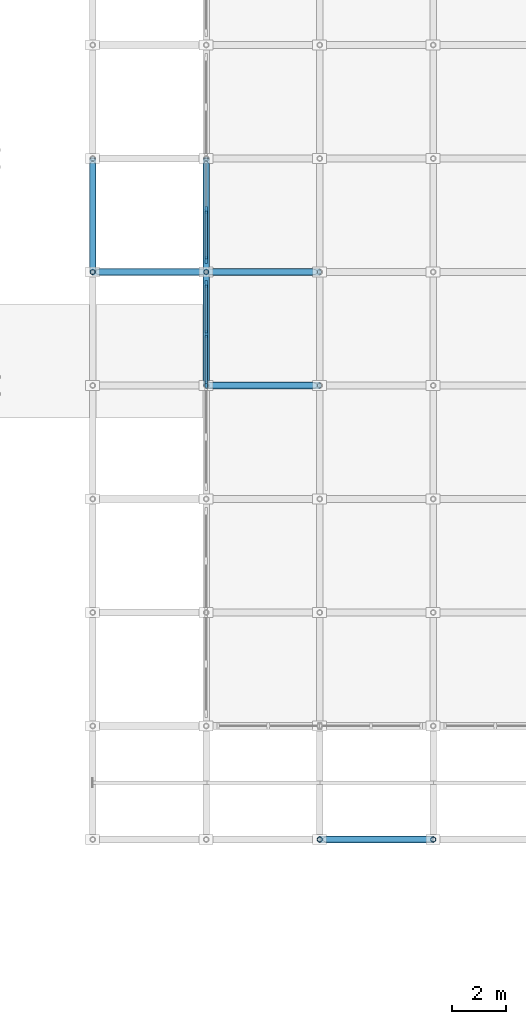
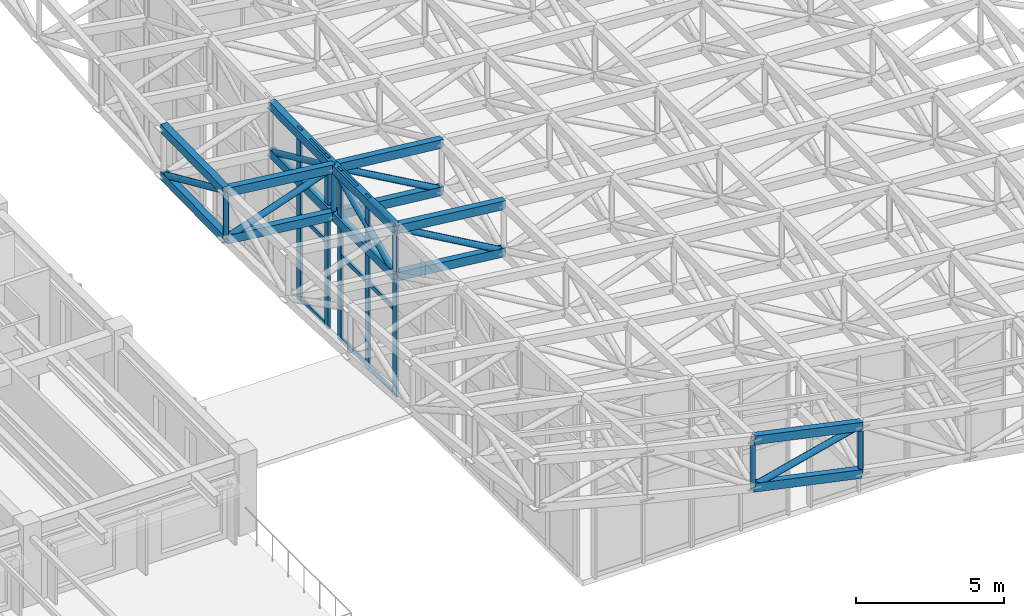
# One storey, part 22 of 111: 39 members, 2 elements without a shape of their own.
"""IFC4 building model written with IfcOpenShell, lengths in metres."""

import ifcopenshell
import ifcopenshell.guid

model = None  # the IFC model being written
_history = None  # IfcOwnerHistory: only IFC2X3 demands one
_inside = {}  # id of a spatial element -> (the spatial element, [elements in it])
_under = {}  # id of a project, library or spatial element -> (it, [spatial elements below it])
_declared = {}  # id of a project -> (the project, [libraries it declares])
_typed = {}  # id of a type object -> (the type object, [elements of that type])
_made_of = {}  # id of a material, layer set ... -> (it, [elements and type objects made of it])


def new_model(schema):
    """Start an empty IFC model of exactly this schema.

    Asked for "IFC4X3", IfcOpenShell would pick the latest addendum, in which some entities
    have other attributes; the version numbers below select the first issue.
    IFC2X3 requires an IfcOwnerHistory on every rooted entity: one is made here for all.
    """
    global model, _history
    if schema == "IFC4X3":
        model = ifcopenshell.file(schema_version=(4, 3, 0, 0))
    else:
        model = ifcopenshell.file(schema=schema)
    _inside.clear()
    _under.clear()
    _declared.clear()
    _typed.clear()
    _made_of.clear()
    _history = None
    if model.schema == "IFC2X3":
        org = make("IfcOrganization", Name="unknown")
        user = make(
            "IfcPersonAndOrganization",
            ThePerson=make("IfcPerson", FamilyName="unknown"),
            TheOrganization=org,
        )
        app = make(
            "IfcApplication",
            ApplicationDeveloper=org,
            Version="unknown",
            ApplicationFullName="unknown",
            ApplicationIdentifier="unknown",
        )
        _history = make(
            "IfcOwnerHistory",
            OwningUser=user,
            OwningApplication=app,
            ChangeAction="ADDED",
            CreationDate=0,
        )
    return model


def make(cls, **values):
    """One entity of the class cls with the attributes given. An attribute that is None is left unset."""
    return model.create_entity(
        cls, **{name: value for name, value in values.items() if value is not None}
    )


def rooted(cls, **values):
    """An entity with a GlobalId (a new one), such as an element, a storey or a relation."""
    return make(cls, GlobalId=ifcopenshell.guid.new(), OwnerHistory=_history, **values)


def si_unit(unit_type, name, prefix=None):
    """IfcSIUnit, for example si_unit("LENGTHUNIT", "METRE", prefix="MILLI")."""
    return make("IfcSIUnit", UnitType=unit_type, Prefix=prefix, Name=name)


def assignment(units):
    """IfcUnitAssignment: the units of a project."""
    return None if units is None else make("IfcUnitAssignment", Units=units)


def point(xyz):
    """IfcCartesianPoint."""
    return None if xyz is None else make("IfcCartesianPoint", Coordinates=xyz)


def direction(xyz):
    """IfcDirection."""
    return None if xyz is None else make("IfcDirection", DirectionRatios=xyz)


def frame(location, z_axis=None, x_axis=None):
    """IfcAxis2Placement3D, a coordinate frame: its origin and axes. An axis left out is left unset."""
    return make(
        "IfcAxis2Placement3D",
        Location=point(location),
        Axis=direction(z_axis),
        RefDirection=direction(x_axis),
    )


def frame_2d(location, x_axis=None):
    """IfcAxis2Placement2D, a coordinate frame in the plane: its origin and x axis."""
    return make(
        "IfcAxis2Placement2D", Location=point(location), RefDirection=direction(x_axis)
    )


def origin():
    """The frame at (0, 0, 0) with its axes left unset."""
    return frame((0.0, 0.0, 0.0))


def origin_2d():
    """The frame at (0, 0) in the plane with its x axis left unset."""
    return frame_2d((0.0, 0.0))


def place(relative_to, where):
    """IfcLocalPlacement: puts the frame where relative to a parent placement (None: the world)."""
    return make(
        "IfcLocalPlacement", PlacementRelTo=relative_to, RelativePlacement=where
    )


def context(
    kind, dimensions, precision=None, world=None, true_north=None, identifier=None
):
    """IfcGeometricRepresentationContext, for example the 3D "Model" context."""
    return make(
        "IfcGeometricRepresentationContext",
        ContextIdentifier=identifier,
        ContextType=kind,
        CoordinateSpaceDimension=dimensions,
        Precision=precision,
        WorldCoordinateSystem=world,
        TrueNorth=true_north,
    )


def subcontext(parent, identifier, kind, view, scale=None):
    """IfcGeometricRepresentationSubContext, for example "Body" below "Model"."""
    return make(
        "IfcGeometricRepresentationSubContext",
        ContextIdentifier=identifier,
        ContextType=kind,
        ParentContext=parent,
        TargetScale=scale,
        TargetView=view,
    )


def project(units=None, contexts=None):
    """IfcProject with its units and contexts."""
    return rooted(
        "IfcProject",
        Name="project",
        RepresentationContexts=contexts,
        UnitsInContext=assignment(units),
    )


def spatial(cls, under=None, at=None, **own):
    """A site, building, storey or space (cls), placed at a placement, below another one or the project."""
    s = rooted(cls, ObjectPlacement=at, **own)
    if under is not None:
        _under.setdefault(under.id(), (under, []))[1].append(s)
    return s


def profile(cls, at=None, kind="AREA", **sizes):
    """A parametric profile (cls). Its sizes go by their IFC names, for example OverallWidth=200.0."""
    return make(cls, ProfileType=kind, Position=at, **sizes)


def rectangle(**sizes):
    """IfcRectangleProfileDef."""
    return profile("IfcRectangleProfileDef", **sizes)


def hollow_rectangle(**sizes):
    """IfcRectangleHollowProfileDef."""
    return profile("IfcRectangleHollowProfileDef", **sizes)


def hollow_circle(**sizes):
    """IfcCircleHollowProfileDef."""
    return profile("IfcCircleHollowProfileDef", **sizes)


def extrude(swept, where, along, depth):
    """IfcExtrudedAreaSolid: the profile swept, set in the frame where, extruded along a direction by depth."""
    return make(
        "IfcExtrudedAreaSolid",
        SweptArea=swept,
        Position=where,
        ExtrudedDirection=direction(along),
        Depth=depth,
    )


def shape(context_of_items, identifier, shape_type, items):
    """IfcShapeRepresentation: the items that make up one representation, for example the "Body"."""
    return make(
        "IfcShapeRepresentation",
        ContextOfItems=context_of_items,
        RepresentationIdentifier=identifier,
        RepresentationType=shape_type,
        Items=items,
    )


def material(Name=None, Category=None):
    """IfcMaterial."""
    return make("IfcMaterial", Name=Name, Category=Category)


def material_profile(
    of_material, cross_section, Name=None, Category=None, Priority=None
):
    """IfcMaterialProfile: a cross section and its material."""
    return make(
        "IfcMaterialProfile",
        Name=Name,
        Material=of_material,
        Profile=cross_section,
        Priority=Priority,
        Category=Category,
    )


def profile_set(profiles, Name=None, composite=None):
    """IfcMaterialProfileSet."""
    return make(
        "IfcMaterialProfileSet",
        Name=Name,
        MaterialProfiles=profiles,
        CompositeProfile=composite,
    )


def made_of(thing, what):
    """Note that an element or type object is made of a material, layer set ...; save() writes the relation."""
    if what is not None:
        _made_of.setdefault(what.id(), (what, []))[1].append(thing)
    return thing


def type_object(cls, material=None, **own):
    """A type object (cls), such as IfcWallType, which elements share."""
    return made_of(rooted(cls, **own), material)


def element(
    cls,
    number,
    at=None,
    inside=None,
    cuts=None,
    type_object=None,
    material=None,
    context=None,
    identifier="Body",
    shape_type=None,
    held_by="IfcProductDefinitionShape",
    body=None,
    shapes=None,
    **own,
):
    """One element of the class cls, such as IfcWall. Its Tag is "e" and its number.

    at: its placement. inside: the storey or other place that contains it. cuts: it is an
    opening in that element (IfcRelVoidsElement). A single representation is given by context,
    identifier, shape_type and body (its items); several are given by shapes. held_by: the class
    of the entity that holds the representations. save() writes the other relations.
    """
    e = rooted(cls, Tag="e%d" % number, ObjectPlacement=at, **own)
    if body is not None:
        shapes = [shape(context, identifier, shape_type, body)]
    if shapes is not None:
        e.Representation = make(held_by, Representations=shapes)
    if inside is not None:
        _inside.setdefault(inside.id(), (inside, []))[1].append(e)
    if cuts is not None:
        rooted(
            "IfcRelVoidsElement", RelatingBuildingElement=cuts, RelatedOpeningElement=e
        )
    if type_object is not None:
        _typed.setdefault(type_object.id(), (type_object, []))[1].append(e)
    return made_of(e, material)


def aggregate(whole, parts):
    """IfcRelAggregates: a whole, such as a stair, and the parts it consists of."""
    return rooted("IfcRelAggregates", RelatingObject=whole, RelatedObjects=parts)


def save(model, path):
    """Write the relations noted so far, then the file.

    IfcRelAggregates (storeys below a building ...), IfcRelContainedInSpatialStructure (elements
    in a storey), IfcRelDefinesByType, IfcRelAssociatesMaterial and IfcRelDeclares: one each for
    every whole, place, type object, material and project.
    """
    for whole, parts in _under.values():
        aggregate(whole, parts)
    for where, things in _inside.values():
        rooted(
            "IfcRelContainedInSpatialStructure",
            RelatedElements=things,
            RelatingStructure=where,
        )
    for kind, things in _typed.values():
        rooted("IfcRelDefinesByType", RelatedObjects=things, RelatingType=kind)
    for what, things in _made_of.values():
        rooted("IfcRelAssociatesMaterial", RelatedObjects=things, RelatingMaterial=what)
    for by, libraries in _declared.values():
        rooted("IfcRelDeclares", RelatingContext=by, RelatedDefinitions=libraries)
    model.write(path)


model = new_model("IFC4")

# Units and contexts
model_context = context("Model", 3, precision=1e-05, world=origin(), true_north=direction((0.0, 1.0)))
body_context = subcontext(model_context, "Body", "Model", "MODEL_VIEW")
ifc_project = project(units=[si_unit("LENGTHUNIT", "METRE"), si_unit("AREAUNIT", "SQUARE_METRE"), si_unit("VOLUMEUNIT", "CUBIC_METRE"), si_unit("PLANEANGLEUNIT", "RADIAN"), si_unit("MASSUNIT", "GRAM", prefix="KILO")], contexts=[model_context])

# Site, building, storey
site_placement = place(None, origin())
site = spatial("IfcSite", under=ifc_project, at=site_placement, CompositionType="ELEMENT")
building_placement = place(site_placement, origin())
building = spatial("IfcBuilding", under=site, at=building_placement, Name="Cumbredor Promenade Congress Hotel", CompositionType="ELEMENT")
storey_placement = place(building_placement, frame((0.0, 0.0, 15.1201171875)))
storey = spatial("IfcBuildingStorey", under=building, at=storey_placement, Name="L04", CompositionType="ELEMENT", Elevation=15.1201171875)

# Curtain wall, members
ifc_material_1 = material(Name="Thermally broken anodized aluminium and low-E glass", Category="aluminium")
curtain_wall_type = type_object("IfcCurtainWallType", Name="Stepped Pavilion Clerestory Curtain Wall CW-06", PredefinedType="NOTDEFINED", material=ifc_material_1)
curtain_wall_1_placement = place(storey_placement, origin())
curtain_wall_1 = element("IfcCurtainWall", 1, at=curtain_wall_1_placement, inside=storey, type_object=curtain_wall_type, Name="Pre-Function and Breakout Meeting Forum W Glazed Clerestory 4", PredefinedType="NOTDEFINED")
ifc_material_2 = material(Name="Thermally broken anodized aluminium", Category="aluminium")
ifc_material_profile_1 = material_profile(ifc_material_2, rectangle(XDim=0.0849609375, YDim=0.260009765625, at=origin_2d()), Name="ALU MULLION CLERESTORY 85x260")
ifc_profile_set_1 = profile_set([ifc_material_profile_1], Name="Thermally broken anodized aluminium")
member_type_1 = type_object("IfcMemberType", Name="Curtain Wall Mullion ML-04", PredefinedType="MULLION", material=ifc_profile_set_1)
member_1_placement = place(storey_placement, frame((92.39990234375, 96.639892578125, -0.01806640625), z_axis=(0.0, 0.0, 1.0), x_axis=(1.0, 0.0, 0.0)))
member_1 = element("IfcMember", 2, at=member_1_placement, type_object=member_type_1, Name="Pre-Function and Breakout Meeting Forum W Glazed Clerestory 4 Mullion 1", PredefinedType="MULLION", context=body_context, shape_type="SweptSolid", body=[
    extrude(rectangle(XDim=0.0849609375, YDim=0.260009765625, at=origin_2d()), origin(), (0.0, 0.0, 1.0), 7.078125),
])
member_2_placement = place(storey_placement, frame((92.39990234375, 98.5, -0.01806640625), z_axis=(0.0, 0.0, 1.0), x_axis=(1.0, 0.0, 0.0)))
member_2 = element("IfcMember", 3, at=member_2_placement, type_object=member_type_1, Name="Pre-Function and Breakout Meeting Forum W Glazed Clerestory 4 Mullion 2", PredefinedType="MULLION", context=body_context, shape_type="SweptSolid", body=[
    extrude(rectangle(XDim=0.0849609375, YDim=0.260009765625, at=origin_2d()), origin(), (0.0, 0.0, 1.0), 7.078125),
])
member_3_placement = place(storey_placement, frame((92.39990234375, 100.360107421875, -0.01806640625), z_axis=(0.0, 0.0, 1.0), x_axis=(1.0, 0.0, 0.0)))
member_3 = element("IfcMember", 4, at=member_3_placement, type_object=member_type_1, Name="Pre-Function and Breakout Meeting Forum W Glazed Clerestory 4 Mullion 3", PredefinedType="MULLION", context=body_context, shape_type="SweptSolid", body=[
    extrude(rectangle(XDim=0.0849609375, YDim=0.260009765625, at=origin_2d()), origin(), (0.0, 0.0, 1.0), 7.078125),
])

curtain_wall_2_placement = place(storey_placement, origin())
curtain_wall_2 = element("IfcCurtainWall", 5, at=curtain_wall_2_placement, inside=storey, type_object=curtain_wall_type, Name="Pre-Function and Breakout Meeting Forum W Glazed Clerestory 5", PredefinedType="NOTDEFINED")
member_4_placement = place(storey_placement, frame((92.39990234375, 101.239990234375, -0.01806640625), z_axis=(0.0, 0.0, 1.0), x_axis=(1.0, 0.0, 0.0)))
member_4 = element("IfcMember", 6, at=member_4_placement, type_object=member_type_1, Name="Pre-Function and Breakout Meeting Forum W Glazed Clerestory 5 Mullion 1", PredefinedType="MULLION", context=body_context, shape_type="SweptSolid", body=[
    extrude(rectangle(XDim=0.0849609375, YDim=0.260009765625, at=origin_2d()), origin(), (0.0, 0.0, 1.0), 7.078125),
])
member_5_placement = place(storey_placement, frame((92.39990234375, 103.10009765625, -0.01806640625), z_axis=(0.0, 0.0, 1.0), x_axis=(1.0, 0.0, 0.0)))
member_5 = element("IfcMember", 7, at=member_5_placement, type_object=member_type_1, Name="Pre-Function and Breakout Meeting Forum W Glazed Clerestory 5 Mullion 2", PredefinedType="MULLION", context=body_context, shape_type="SweptSolid", body=[
    extrude(rectangle(XDim=0.0849609375, YDim=0.260009765625, at=origin_2d()), origin(), (0.0, 0.0, 1.0), 7.078125),
])

# Member
ifc_material_profile_2 = material_profile(ifc_material_2, rectangle(XDim=0.080078125, YDim=0.179931640625, at=origin_2d()), Name="ALU TRANSOM 80x180")
ifc_profile_set_2 = profile_set([ifc_material_profile_2], Name="Thermally broken anodized aluminium")
member_type_2 = type_object("IfcMemberType", Name="Curtain Wall Transom TR-03", PredefinedType="USERDEFINED", material=ifc_profile_set_2)
member_6_placement = place(storey_placement, frame((92.39990234375, 96.6826171875, 0.079833984375), z_axis=(0.0, 1.0, 0.0), x_axis=(-1.0, 0.0, 0.0)))
member_6 = element("IfcMember", 8, at=member_6_placement, type_object=member_type_2, Name="Pre-Function and Breakout Meeting Forum W Glazed Clerestory 4 Transom 1.1", ObjectType="TRANSOM", PredefinedType="USERDEFINED", context=body_context, shape_type="SweptSolid", body=[
    extrude(rectangle(XDim=0.080078125, YDim=0.179931640625, at=origin_2d()), origin(), (0.0, 0.0, 1.0), 1.77490234375),
])

member_7_placement = place(storey_placement, frame((92.39990234375, 96.6826171875, 3.519775390625), z_axis=(0.0, 1.0, 0.0), x_axis=(-1.0, 0.0, 0.0)))
member_7 = element("IfcMember", 9, at=member_7_placement, type_object=member_type_2, Name="Pre-Function and Breakout Meeting Forum W Glazed Clerestory 4 Transom 1.2", ObjectType="TRANSOM", PredefinedType="USERDEFINED", context=body_context, shape_type="SweptSolid", body=[
    extrude(rectangle(XDim=0.080078125, YDim=0.179931640625, at=origin_2d()), origin(), (0.0, 0.0, 1.0), 1.77490234375),
])

member_8_placement = place(storey_placement, frame((92.39990234375, 96.6826171875, 6.9599609375), z_axis=(0.0, 1.0, 0.0), x_axis=(-1.0, 0.0, 0.0)))
member_8 = element("IfcMember", 10, at=member_8_placement, type_object=member_type_2, Name="Pre-Function and Breakout Meeting Forum W Glazed Clerestory 4 Transom 1.3", ObjectType="TRANSOM", PredefinedType="USERDEFINED", context=body_context, shape_type="SweptSolid", body=[
    extrude(rectangle(XDim=0.080078125, YDim=0.179931640625, at=origin_2d()), origin(), (0.0, 0.0, 1.0), 1.77490234375),
])

member_9_placement = place(storey_placement, frame((92.39990234375, 98.54248046875, 0.079833984375), z_axis=(0.0, 1.0, 0.0), x_axis=(-1.0, 0.0, 0.0)))
member_9 = element("IfcMember", 11, at=member_9_placement, type_object=member_type_2, Name="Pre-Function and Breakout Meeting Forum W Glazed Clerestory 4 Transom 2.1", ObjectType="TRANSOM", PredefinedType="USERDEFINED", context=body_context, shape_type="SweptSolid", body=[
    extrude(rectangle(XDim=0.080078125, YDim=0.179931640625, at=origin_2d()), origin(), (0.0, 0.0, 1.0), 1.77490234375),
])

member_10_placement = place(storey_placement, frame((92.39990234375, 98.54248046875, 3.519775390625), z_axis=(0.0, 1.0, 0.0), x_axis=(-1.0, 0.0, 0.0)))
member_10 = element("IfcMember", 12, at=member_10_placement, type_object=member_type_2, Name="Pre-Function and Breakout Meeting Forum W Glazed Clerestory 4 Transom 2.2", ObjectType="TRANSOM", PredefinedType="USERDEFINED", context=body_context, shape_type="SweptSolid", body=[
    extrude(rectangle(XDim=0.080078125, YDim=0.179931640625, at=origin_2d()), origin(), (0.0, 0.0, 1.0), 1.77490234375),
])

member_11_placement = place(storey_placement, frame((92.39990234375, 98.54248046875, 6.9599609375), z_axis=(0.0, 1.0, 0.0), x_axis=(-1.0, 0.0, 0.0)))
member_11 = element("IfcMember", 13, at=member_11_placement, type_object=member_type_2, Name="Pre-Function and Breakout Meeting Forum W Glazed Clerestory 4 Transom 2.3", ObjectType="TRANSOM", PredefinedType="USERDEFINED", context=body_context, shape_type="SweptSolid", body=[
    extrude(rectangle(XDim=0.080078125, YDim=0.179931640625, at=origin_2d()), origin(), (0.0, 0.0, 1.0), 1.77490234375),
])

aggregate(curtain_wall_1, [member_1, member_2, member_3, member_6, member_7, member_8, member_9, member_10, member_11])

member_12_placement = place(storey_placement, frame((92.39990234375, 101.282470703125, 0.079833984375), z_axis=(0.0, 1.0, 0.0), x_axis=(-1.0, 0.0, 0.0)))
member_12 = element("IfcMember", 14, at=member_12_placement, type_object=member_type_2, Name="Pre-Function and Breakout Meeting Forum W Glazed Clerestory 5 Transom 1.1", ObjectType="TRANSOM", PredefinedType="USERDEFINED", context=body_context, shape_type="SweptSolid", body=[
    extrude(rectangle(XDim=0.080078125, YDim=0.179931640625, at=origin_2d()), origin(), (0.0, 0.0, 1.0), 1.775146484375),
])

member_13_placement = place(storey_placement, frame((92.39990234375, 101.282470703125, 3.519775390625), z_axis=(0.0, 1.0, 0.0), x_axis=(-1.0, 0.0, 0.0)))
member_13 = element("IfcMember", 15, at=member_13_placement, type_object=member_type_2, Name="Pre-Function and Breakout Meeting Forum W Glazed Clerestory 5 Transom 1.2", ObjectType="TRANSOM", PredefinedType="USERDEFINED", context=body_context, shape_type="SweptSolid", body=[
    extrude(rectangle(XDim=0.080078125, YDim=0.179931640625, at=origin_2d()), origin(), (0.0, 0.0, 1.0), 1.775146484375),
])

member_14_placement = place(storey_placement, frame((92.39990234375, 101.282470703125, 6.9599609375), z_axis=(0.0, 1.0, 0.0), x_axis=(-1.0, 0.0, 0.0)))
member_14 = element("IfcMember", 16, at=member_14_placement, type_object=member_type_2, Name="Pre-Function and Breakout Meeting Forum W Glazed Clerestory 5 Transom 1.3", ObjectType="TRANSOM", PredefinedType="USERDEFINED", context=body_context, shape_type="SweptSolid", body=[
    extrude(rectangle(XDim=0.080078125, YDim=0.179931640625, at=origin_2d()), origin(), (0.0, 0.0, 1.0), 1.775146484375),
])

aggregate(curtain_wall_2, [member_4, member_5, member_12, member_13, member_14])

# Members
ifc_material_3 = material(Name="Steel ASTM A500 Grade C", Category="steel")
ifc_material_profile_3 = material_profile(ifc_material_3, hollow_rectangle(XDim=0.25, YDim=0.35009765625, WallThickness=0.01611328125, at=origin_2d()), Name="HSS 350x250x16")
ifc_profile_set_3 = profile_set([ifc_material_profile_3], Name="Steel ASTM A500 Grade C")
member_type_3 = type_object("IfcMemberType", Name="Forum Roof Truss Chord", PredefinedType="CHORD", material=ifc_profile_set_3)
member_15_placement = place(storey_placement, frame((96.60009765625, 79.800048828125, 6.923828125), z_axis=(0.977922876624, 0.0, -0.208966139305), x_axis=(0.0, 1.0, 0.0)))
element("IfcMember", 17, at=member_15_placement, inside=storey, type_object=member_type_3, Name="Pre-Function and Breakout Meeting Forum X Top Chord 3.1", PredefinedType="CHORD", context=body_context, shape_type="SweptSolid", body=[
    extrude(hollow_rectangle(XDim=0.25, YDim=0.35009765625, WallThickness=0.01611328125, at=origin_2d()), origin(), (0.0, 0.0, 1.0), 4.294677734375),
])
member_16_placement = place(storey_placement, frame((96.60009765625, 79.800048828125, 4.973876953125), z_axis=(0.9779112586, 0.0, -0.209020502114), x_axis=(0.0, 1.0, 0.0)))
element("IfcMember", 18, at=member_16_placement, inside=storey, type_object=member_type_3, Name="Pre-Function and Breakout Meeting Forum X Bottom Chord 3.1", PredefinedType="CHORD", context=body_context, shape_type="SweptSolid", body=[
    extrude(hollow_rectangle(XDim=0.25, YDim=0.35009765625, WallThickness=0.01611328125, at=origin_2d()), origin(), (0.0, 0.0, 1.0), 4.294921875),
])
for number, where, z_axis, x_axis, name in (
    (19, (92.39990234375, 96.60009765625, 6.9013671875), (0.994013395162, 0.0, -0.109258273091), (0.0, 1.0, 0.0), "Pre-Function and Breakout Meeting Forum X Top Chord 2.5"),
    (20, (92.39990234375, 96.60009765625, 4.951416015625), (0.994013395162, 0.0, -0.109258273091), (0.0, 1.0, 0.0), "Pre-Function and Breakout Meeting Forum X Bottom Chord 2.5"),
):
    element("IfcMember", number, at=place(storey_placement, frame(where, z_axis=z_axis, x_axis=x_axis)), inside=storey, type_object=member_type_3, Name=name, PredefinedType="CHORD", context=body_context, shape_type="SweptSolid", body=[
        extrude(hollow_rectangle(XDim=0.25, YDim=0.35009765625, WallThickness=0.01611328125, at=origin_2d()), origin(), (0.0, 0.0, 1.0), 4.2255859375),
    ])
for number, where, z_axis, x_axis, name in (
    (21, (88.199951171875, 100.800048828125, 7.34521484375), (0.993362575752, 0.0, -0.115025184613), (0.0, 1.0, 0.0), "Pre-Function and Breakout Meeting Forum X Top Chord 1.6"),
    (22, (88.199951171875, 100.800048828125, 5.395263671875), (0.993362575752, 0.0, -0.115025184613), (0.0, 1.0, 0.0), "Pre-Function and Breakout Meeting Forum X Bottom Chord 1.6"),
):
    element("IfcMember", number, at=place(storey_placement, frame(where, z_axis=z_axis, x_axis=x_axis)), inside=storey, type_object=member_type_3, Name=name, PredefinedType="CHORD", context=body_context, shape_type="SweptSolid", body=[
        extrude(hollow_rectangle(XDim=0.25, YDim=0.35009765625, WallThickness=0.01611328125, at=origin_2d()), origin(), (0.0, 0.0, 1.0), 4.22802734375),
    ])
for number, where, z_axis, x_axis, name in (
    (23, (92.39990234375, 100.800048828125, 6.85888671875), (0.994577125448, 0.0, -0.104001641983), (0.0, 1.0, 0.0), "Pre-Function and Breakout Meeting Forum X Top Chord 2.6"),
    (24, (92.39990234375, 100.800048828125, 4.908935546875), (0.994577125448, 0.0, -0.104001641983), (0.0, 1.0, 0.0), "Pre-Function and Breakout Meeting Forum X Bottom Chord 2.6"),
):
    element("IfcMember", number, at=place(storey_placement, frame(where, z_axis=z_axis, x_axis=x_axis)), inside=storey, type_object=member_type_3, Name=name, PredefinedType="CHORD", context=body_context, shape_type="SweptSolid", body=[
        extrude(hollow_rectangle(XDim=0.25, YDim=0.35009765625, WallThickness=0.01611328125, at=origin_2d()), origin(), (0.0, 0.0, 1.0), 4.22314453125),
    ])
for number, where, z_axis, x_axis, name in (
    (25, (88.199951171875, 100.800048828125, 7.34521484375), (0.0, 0.999870390533, 0.016099755751), (-1.0, 0.0, 0.0), "Pre-Function and Breakout Meeting Forum Y Top Chord 1.6"),
    (26, (88.199951171875, 100.800048828125, 5.395263671875), (0.0, 0.999870390533, 0.016099755751), (-1.0, 0.0, 0.0), "Pre-Function and Breakout Meeting Forum Y Bottom Chord 1.6"),
):
    element("IfcMember", number, at=place(storey_placement, frame(where, z_axis=z_axis, x_axis=x_axis)), inside=storey, type_object=member_type_3, Name=name, PredefinedType="CHORD", context=body_context, shape_type="SweptSolid", body=[
        extrude(hollow_rectangle(XDim=0.25, YDim=0.35009765625, WallThickness=0.01611328125, at=origin_2d()), origin(), (0.0, 0.0, 1.0), 4.200439453125),
    ])
for number, where, z_axis, x_axis, name in (
    (27, (92.39990234375, 96.60009765625, 6.9013671875), (0.0, 0.999948852218, -0.010113997575), (-1.0, 0.0, 0.0), "Pre-Function and Breakout Meeting Forum Y Top Chord 2.5"),
    (28, (92.39990234375, 96.60009765625, 4.951416015625), (0.0, 0.999948852218, -0.010113997575), (-1.0, 0.0, 0.0), "Pre-Function and Breakout Meeting Forum Y Bottom Chord 2.5"),
    (29, (92.39990234375, 100.800048828125, 6.85888671875), (0.0, 0.999948852218, 0.010113997575), (-1.0, 0.0, 0.0), "Pre-Function and Breakout Meeting Forum Y Top Chord 2.6"),
    (30, (92.39990234375, 100.800048828125, 4.908935546875), (0.0, 0.999948852218, 0.010113997575), (-1.0, 0.0, 0.0), "Pre-Function and Breakout Meeting Forum Y Bottom Chord 2.6"),
):
    element("IfcMember", number, at=place(storey_placement, frame(where, z_axis=z_axis, x_axis=x_axis)), inside=storey, type_object=member_type_3, Name=name, PredefinedType="CHORD", context=body_context, shape_type="SweptSolid", body=[
        extrude(hollow_rectangle(XDim=0.25, YDim=0.35009765625, WallThickness=0.01611328125, at=origin_2d()), origin(), (0.0, 0.0, 1.0), 4.2001953125),
    ])
ifc_material_profile_4 = material_profile(ifc_material_3, hollow_circle(Radius=0.122314453125, WallThickness=0.012451171875, at=origin_2d()), Name="CHS 244.5x12.5")
ifc_profile_set_4 = profile_set([ifc_material_profile_4], Name="Steel ASTM A500 Grade C")
member_type_4 = type_object("IfcMemberType", Name="Space Frame Web Diagonal D2", PredefinedType="BRACE", material=ifc_profile_set_4)
member_17_placement = place(storey_placement, frame((96.60009765625, 79.800048828125, 4.973876953125), z_axis=(0.970006358163, 0.0, 0.243079544849), x_axis=(0.0, 1.0, 0.0)))
element("IfcMember", 31, at=member_17_placement, inside=storey, type_object=member_type_4, Name="Pre-Function and Breakout Meeting Forum X Web Diagonal 3.1", PredefinedType="BRACE", context=body_context, shape_type="SweptSolid", body=[
    extrude(hollow_circle(Radius=0.122314453125, WallThickness=0.012451171875, at=origin_2d()), origin(), (0.0, 0.0, 1.0), 4.329833984375),
])
member_18_placement = place(storey_placement, frame((92.39990234375, 96.60009765625, 6.9013671875), z_axis=(0.867217625774, 0.0, -0.497929301755), x_axis=(0.0, 1.0, 0.0)))
element("IfcMember", 32, at=member_18_placement, inside=storey, type_object=member_type_4, Name="Pre-Function and Breakout Meeting Forum X Web Diagonal 2.5", PredefinedType="BRACE", context=body_context, shape_type="SweptSolid", body=[
    extrude(hollow_circle(Radius=0.122314453125, WallThickness=0.012451171875, at=origin_2d()), origin(), (0.0, 0.0, 1.0), 4.84326171875),
])
member_19_placement = place(storey_placement, frame((88.199951171875, 100.800048828125, 5.395263671875), z_axis=(0.944303354925, 0.0, 0.329076243259), x_axis=(0.0, 1.0, 0.0)))
element("IfcMember", 33, at=member_19_placement, inside=storey, type_object=member_type_4, Name="Pre-Function and Breakout Meeting Forum X Web Diagonal 1.6", PredefinedType="BRACE", context=body_context, shape_type="SweptSolid", body=[
    extrude(hollow_circle(Radius=0.122314453125, WallThickness=0.012451171875, at=origin_2d()), origin(), (0.0, 0.0, 1.0), 4.44775390625),
])
member_20_placement = place(storey_placement, frame((92.39990234375, 100.800048828125, 6.85888671875), z_axis=(0.869217743506, 0.0, -0.494429483722), x_axis=(0.0, 1.0, 0.0)))
element("IfcMember", 34, at=member_20_placement, inside=storey, type_object=member_type_4, Name="Pre-Function and Breakout Meeting Forum X Web Diagonal 2.6", PredefinedType="BRACE", context=body_context, shape_type="SweptSolid", body=[
    extrude(hollow_circle(Radius=0.122314453125, WallThickness=0.012451171875, at=origin_2d()), origin(), (0.0, 0.0, 1.0), 4.832275390625),
])
member_21_placement = place(storey_placement, frame((88.199951171875, 100.800048828125, 7.34521484375), z_axis=(0.0, 0.91254277693, -0.408981271298), x_axis=(-1.0, 0.0, 0.0)))
element("IfcMember", 35, at=member_21_placement, inside=storey, type_object=member_type_4, Name="Pre-Function and Breakout Meeting Forum Y Web Diagonal 1.6", PredefinedType="BRACE", context=body_context, shape_type="SweptSolid", body=[
    extrude(hollow_circle(Radius=0.122314453125, WallThickness=0.012451171875, at=origin_2d()), origin(), (0.0, 0.0, 1.0), 4.6025390625),
])
for number, where, z_axis, x_axis, name in (
    (36, (92.39990234375, 96.60009765625, 4.951416015625), (0.0, 0.910496936225, 0.413515814842), (-1.0, 0.0, 0.0), "Pre-Function and Breakout Meeting Forum Y Web Diagonal 2.5"),
    (37, (92.39990234375, 100.800048828125, 6.85888671875), (0.0, 0.910496936225, -0.413515814842), (-1.0, 0.0, 0.0), "Pre-Function and Breakout Meeting Forum Y Web Diagonal 2.6"),
):
    element("IfcMember", number, at=place(storey_placement, frame(where, z_axis=z_axis, x_axis=x_axis)), inside=storey, type_object=member_type_4, Name=name, PredefinedType="BRACE", context=body_context, shape_type="SweptSolid", body=[
        extrude(hollow_circle(Radius=0.122314453125, WallThickness=0.012451171875, at=origin_2d()), origin(), (0.0, 0.0, 1.0), 4.61279296875),
    ])
ifc_material_profile_5 = material_profile(ifc_material_3, hollow_circle(Radius=0.096923828125, WallThickness=0.010009765625, at=origin_2d()), Name="CHS 193.7x10")
ifc_profile_set_5 = profile_set([ifc_material_profile_5], Name="Steel ASTM A500 Grade C")
member_type_5 = type_object("IfcMemberType", Name="Space Frame Web Post P1", PredefinedType="BRACE", material=ifc_profile_set_5)
for number, where, z_axis, x_axis, name in (
    (38, (88.199951171875, 100.800048828125, 5.395263671875), (0.0, 0.0, 1.0), (1.0, 0.0, 0.0), "Pre-Function and Breakout Meeting Forum Space Frame Web Post 1.6"),
    (39, (92.39990234375, 100.800048828125, 4.908935546875), (0.0, 0.0, 1.0), (1.0, 0.0, 0.0), "Pre-Function and Breakout Meeting Forum Space Frame Web Post 2.6"),
    (40, (96.60009765625, 79.800048828125, 4.973876953125), (0.0, 0.0, 1.0), (1.0, 0.0, 0.0), "Pre-Function and Breakout Meeting Forum Space Frame Web Post 3.1"),
):
    element("IfcMember", number, at=place(storey_placement, frame(where, z_axis=z_axis, x_axis=x_axis)), inside=storey, type_object=member_type_5, Name=name, PredefinedType="BRACE", context=body_context, shape_type="SweptSolid", body=[
        extrude(hollow_circle(Radius=0.096923828125, WallThickness=0.010009765625, at=origin_2d()), origin(), (0.0, 0.0, 1.0), 1.949951171875),
    ])
member_22_placement = place(storey_placement, frame((100.800048828125, 79.800048828125, 4.076171875), z_axis=(0.0, 0.0, 1.0), x_axis=(1.0, 0.0, 0.0)))
element("IfcMember", 41, at=member_22_placement, inside=storey, type_object=member_type_5, Name="Pre-Function and Breakout Meeting Forum Space Frame Web Post 4.1", PredefinedType="BRACE", context=body_context, shape_type="SweptSolid", body=[
    extrude(hollow_circle(Radius=0.096923828125, WallThickness=0.010009765625, at=origin_2d()), origin(), (0.0, 0.0, 1.0), 1.9501953125),
])

save(model, "model.ifc")
